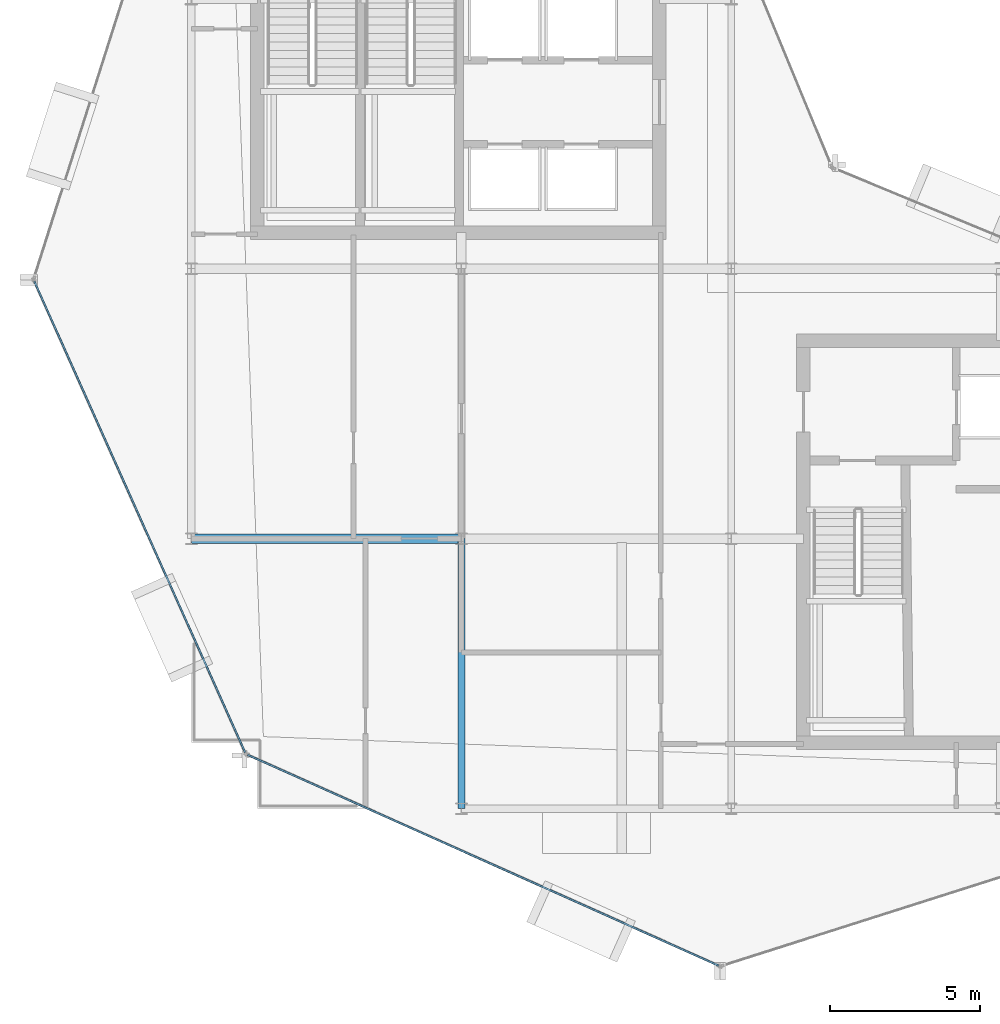
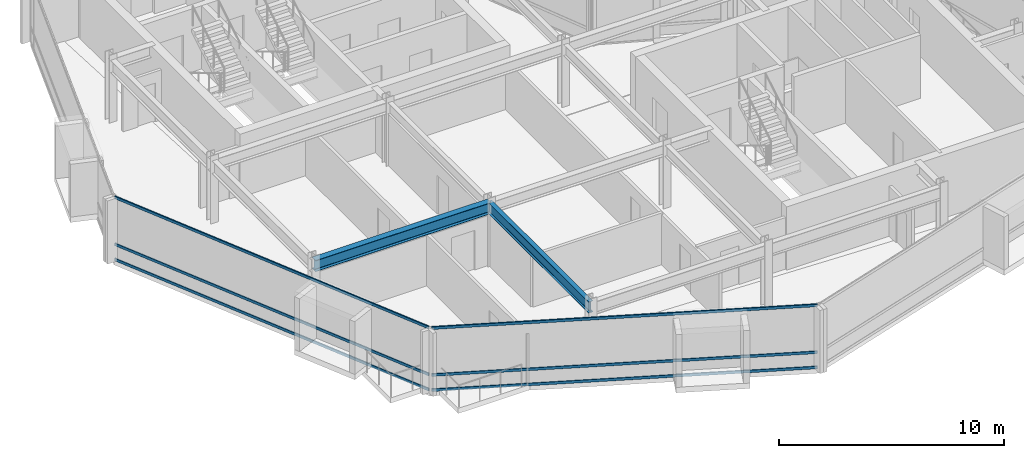
# One storey, part 3 of 19: 6 members, 2 beams, 2 elements without a shape of their own.
"""IFC4 building model written with IfcOpenShell, lengths in metres."""

from ifc_helpers import new_model, si_unit, direction, frame, origin, origin_2d, place, context, subcontext, project, spatial, hollow_rectangle, i_section, extrude, material, layer, layer_set, material_profile, profile_set, type_object, element, aggregate, save


model = new_model("IFC4")

# Units and contexts
model_context = context("Model", 3, precision=1e-05, world=origin(), true_north=direction((0.0, 1.0)))
body_context = subcontext(model_context, "Body", "Model", "MODEL_VIEW")
ifc_project = project(units=[si_unit("LENGTHUNIT", "METRE"), si_unit("AREAUNIT", "SQUARE_METRE"), si_unit("VOLUMEUNIT", "CUBIC_METRE"), si_unit("PLANEANGLEUNIT", "RADIAN"), si_unit("MASSUNIT", "GRAM", prefix="KILO")], contexts=[model_context])

# Site, building, storey
site_placement = place(None, origin())
site = spatial("IfcSite", under=ifc_project, at=site_placement, CompositionType="ELEMENT")
building_placement = place(site_placement, origin())
building = spatial("IfcBuilding", under=site, at=building_placement, Name="Solvaryn Broadcast Tower", CompositionType="ELEMENT")
storey_placement = place(building_placement, frame((0.0, 0.0, 255.60009765625)))
storey = spatial("IfcBuildingStorey", under=building, at=storey_placement, Name="L64", CompositionType="ELEMENT", Elevation=255.60009765625)

# Beams
ifc_material_1 = material(Name="Steel ASTM A992 Grade 50", Category="steel")
ifc_material_profile_1 = material_profile(ifc_material_1, i_section(OverallWidth=0.323974609375, OverallDepth=0.611083984375, WebThickness=0.0126953125, FlangeThickness=0.01904296875, FilletRadius=0.014892578125, at=origin_2d()))
ifc_profile_set_1 = profile_set([ifc_material_profile_1], Name="Steel ASTM A992 Grade 50")
beam_type_1 = type_object("IfcBeamType", Name="BM-B1-W24X104", PredefinedType="BEAM", material=ifc_profile_set_1)
beam_1_placement = place(storey_placement, frame((9.0, 18.0, 3.114501953125), z_axis=(1.0, 0.0, 0.0), x_axis=(0.0, 1.0, 0.0)))
element("IfcBeam", 1, at=beam_1_placement, inside=storey, type_object=beam_type_1, Name="L64 Primary Beam X (9-18 @ Y=18)", PredefinedType="BEAM", context=body_context, shape_type="SweptSolid", body=[
    extrude(i_section(OverallWidth=0.323974609375, OverallDepth=0.611083984375, WebThickness=0.0126953125, FlangeThickness=0.01904296875, FilletRadius=0.014892578125, at=origin_2d()), origin(), (0.0, 0.0, 1.0), 9.0),
])
ifc_material_2 = material(Name="Steel ASTM A992 Grade 50", Category="steel")
ifc_material_profile_2 = material_profile(ifc_material_2, i_section(OverallWidth=0.22802734375, OverallDepth=0.60791015625, WebThickness=0.01123046875, FlangeThickness=0.017333984375, FilletRadius=0.014892578125, at=origin_2d()))
ifc_profile_set_2 = profile_set([ifc_material_profile_2], Name="Steel ASTM A992 Grade 50")
beam_type_2 = type_object("IfcBeamType", Name="BM-B2-W24X76", PredefinedType="BEAM", material=ifc_profile_set_2)
beam_2_placement = place(storey_placement, frame((18.0, 9.0, 3.115966796875), z_axis=(0.0, 1.0, 0.0), x_axis=(-1.0, 0.0, 0.0)))
element("IfcBeam", 2, at=beam_2_placement, inside=storey, type_object=beam_type_2, Name="L64 Primary Beam Y (9-18 @ X=18)", PredefinedType="BEAM", context=body_context, shape_type="SweptSolid", body=[
    extrude(i_section(OverallWidth=0.22802734375, OverallDepth=0.60791015625, WebThickness=0.01123046875, FlangeThickness=0.017333984375, FilletRadius=0.014892578125, at=origin_2d()), origin(), (0.0, 0.0, 1.0), 9.0),
])

# Curtain wall, members
ifc_material_3 = material(Name="Aluminium and Terracotta Unitised Curtain Wall", Category="masonry")
ifc_layer_1 = layer(ifc_material_3, 0.239990234375)
ifc_layer_set_1 = layer_set([ifc_layer_1], Name="CW-SYS3-BAYBOX")
curtain_wall_type_1 = type_object("IfcCurtainWallType", Name="CW-SYS3-BAYBOX", PredefinedType="NOTDEFINED", material=ifc_layer_set_1)
curtain_wall_1_placement = place(storey_placement, origin())
curtain_wall_1 = element("IfcCurtainWall", 3, at=curtain_wall_1_placement, inside=storey, type_object=curtain_wall_type_1, Name="L64 Curtain Wall DR2", PredefinedType="NOTDEFINED")
ifc_material_4 = material(Name="Anodised Aluminium 6063-T6", Category="aluminium")
ifc_material_profile_3 = material_profile(ifc_material_4, hollow_rectangle(XDim=0.06494140625, YDim=0.14990234375, WallThickness=0.00390625, InnerFilletRadius=0.00390625, OuterFilletRadius=0.008056640625, at=origin_2d()))
ifc_profile_set_3 = profile_set([ifc_material_profile_3], Name="Anodised Aluminium 6063-T6")
member_type = type_object("IfcMemberType", Name="CW-TRN-150", PredefinedType="USERDEFINED", material=ifc_profile_set_3)
member_1_placement = place(storey_placement, frame((3.762451171875, 26.581298828125, 0.02978515625), z_axis=(0.408468080937, -0.912772604133, 0.0), x_axis=(0.912772604133, 0.408468080937, 0.0)))
member_1 = element("IfcMember", 4, at=member_1_placement, type_object=member_type, Name="CWS3 transom 1.1", ObjectType="TRANSOM", PredefinedType="USERDEFINED", context=body_context, shape_type="SweptSolid", body=[
    extrude(hollow_rectangle(XDim=0.06494140625, YDim=0.14990234375, WallThickness=0.00390625, InnerFilletRadius=0.00390625, OuterFilletRadius=0.008056640625, at=origin_2d()), origin(), (0.0, 0.0, 1.0), 17.210693359375),
])
member_2_placement = place(storey_placement, frame((3.762451171875, 26.581298828125, 0.849853515625), z_axis=(0.408468080937, -0.912772604133, 0.0), x_axis=(0.912772604133, 0.408468080937, 0.0)))
member_2 = element("IfcMember", 5, at=member_2_placement, type_object=member_type, Name="CWS3 transom 1.2", ObjectType="TRANSOM", PredefinedType="USERDEFINED", context=body_context, shape_type="SweptSolid", body=[
    extrude(hollow_rectangle(XDim=0.06494140625, YDim=0.14990234375, WallThickness=0.00390625, InnerFilletRadius=0.00390625, OuterFilletRadius=0.008056640625, at=origin_2d()), origin(), (0.0, 0.0, 1.0), 17.210693359375),
])
member_3_placement = place(storey_placement, frame((3.762451171875, 26.581298828125, 3.389892578125), z_axis=(0.408468080937, -0.912772604133, 0.0), x_axis=(0.912772604133, 0.408468080937, 0.0)))
member_3 = element("IfcMember", 6, at=member_3_placement, type_object=member_type, Name="CWS3 transom 1.3", ObjectType="TRANSOM", PredefinedType="USERDEFINED", context=body_context, shape_type="SweptSolid", body=[
    extrude(hollow_rectangle(XDim=0.06494140625, YDim=0.14990234375, WallThickness=0.00390625, InnerFilletRadius=0.00390625, OuterFilletRadius=0.008056640625, at=origin_2d()), origin(), (0.0, 0.0, 1.0), 17.210693359375),
])
aggregate(curtain_wall_1, [member_1, member_2, member_3])

ifc_material_5 = material(Name="Aluminium and Terracotta Unitised Curtain Wall", Category="masonry")
ifc_layer_2 = layer(ifc_material_5, 0.199951171875)
ifc_layer_set_2 = layer_set([ifc_layer_2], Name="CW-SYS2-LOWMID")
curtain_wall_type_2 = type_object("IfcCurtainWallType", Name="CW-SYS2-LOWMID", PredefinedType="NOTDEFINED", material=ifc_layer_set_2)
curtain_wall_2_placement = place(storey_placement, origin())
curtain_wall_2 = element("IfcCurtainWall", 7, at=curtain_wall_2_placement, inside=storey, type_object=curtain_wall_type_2, Name="L64 Curtain Wall DR3", PredefinedType="NOTDEFINED")
member_4_placement = place(storey_placement, frame((10.871826171875, 10.79248046875, 0.02978515625), z_axis=(0.912772604133, -0.408468080937, 0.0), x_axis=(0.408468080937, 0.912772604133, 0.0)))
member_4 = element("IfcMember", 8, at=member_4_placement, type_object=member_type, Name="CWS2 transom 1.1", ObjectType="TRANSOM", PredefinedType="USERDEFINED", context=body_context, shape_type="SweptSolid", body=[
    extrude(hollow_rectangle(XDim=0.06494140625, YDim=0.14990234375, WallThickness=0.00390625, InnerFilletRadius=0.00390625, OuterFilletRadius=0.008056640625, at=origin_2d()), origin(), (0.0, 0.0, 1.0), 17.210693359375),
])
member_5_placement = place(storey_placement, frame((10.871826171875, 10.79248046875, 0.849853515625), z_axis=(0.912772604133, -0.408468080937, 0.0), x_axis=(0.408468080937, 0.912772604133, 0.0)))
member_5 = element("IfcMember", 9, at=member_5_placement, type_object=member_type, Name="CWS2 transom 1.2", ObjectType="TRANSOM", PredefinedType="USERDEFINED", context=body_context, shape_type="SweptSolid", body=[
    extrude(hollow_rectangle(XDim=0.06494140625, YDim=0.14990234375, WallThickness=0.00390625, InnerFilletRadius=0.00390625, OuterFilletRadius=0.008056640625, at=origin_2d()), origin(), (0.0, 0.0, 1.0), 17.210693359375),
])
member_6_placement = place(storey_placement, frame((10.871826171875, 10.79248046875, 3.389892578125), z_axis=(0.912772604133, -0.408468080937, 0.0), x_axis=(0.408468080937, 0.912772604133, 0.0)))
member_6 = element("IfcMember", 10, at=member_6_placement, type_object=member_type, Name="CWS2 transom 1.3", ObjectType="TRANSOM", PredefinedType="USERDEFINED", context=body_context, shape_type="SweptSolid", body=[
    extrude(hollow_rectangle(XDim=0.06494140625, YDim=0.14990234375, WallThickness=0.00390625, InnerFilletRadius=0.00390625, OuterFilletRadius=0.008056640625, at=origin_2d()), origin(), (0.0, 0.0, 1.0), 17.210693359375),
])
aggregate(curtain_wall_2, [member_4, member_5, member_6])

save(model, "model.ifc")
